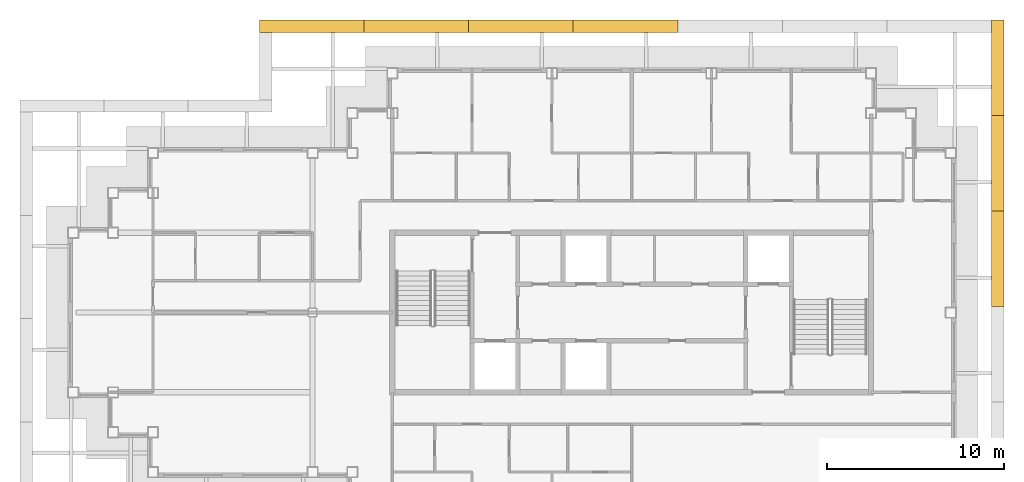
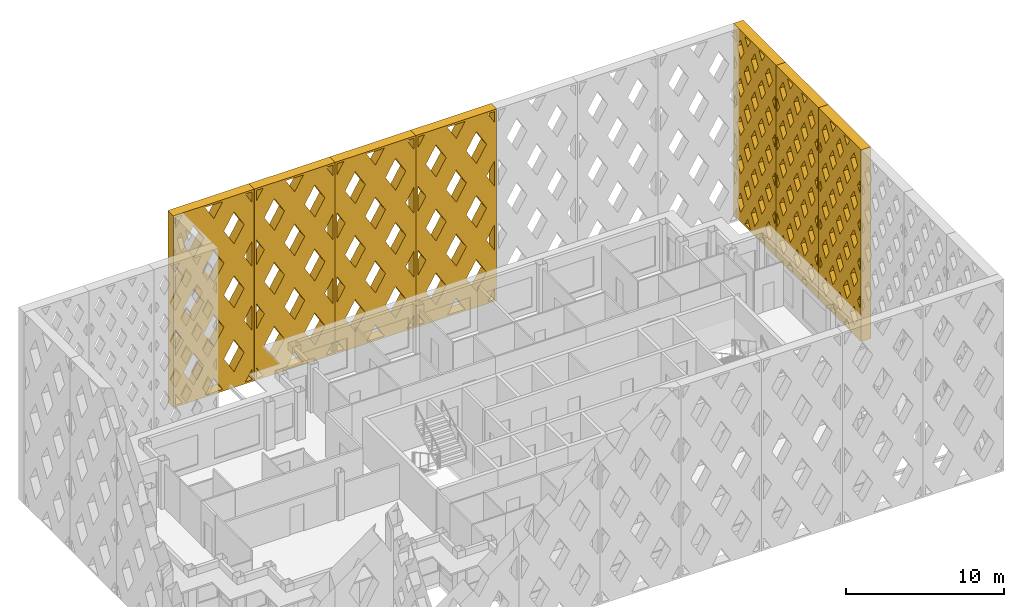
# One storey, part 14 of 15: 7 shading devices.
"""IFC4 building model written with IfcOpenShell, lengths in metres."""

import ifcopenshell
import ifcopenshell.guid

model = None  # the IFC model being written
_history = None  # IfcOwnerHistory: only IFC2X3 demands one
_inside = {}  # id of a spatial element -> (the spatial element, [elements in it])
_under = {}  # id of a project, library or spatial element -> (it, [spatial elements below it])
_declared = {}  # id of a project -> (the project, [libraries it declares])
_typed = {}  # id of a type object -> (the type object, [elements of that type])
_made_of = {}  # id of a material, layer set ... -> (it, [elements and type objects made of it])


def new_model(schema):
    """Start an empty IFC model of exactly this schema.

    Asked for "IFC4X3", IfcOpenShell would pick the latest addendum, in which some entities
    have other attributes; the version numbers below select the first issue.
    IFC2X3 requires an IfcOwnerHistory on every rooted entity: one is made here for all.
    """
    global model, _history
    if schema == "IFC4X3":
        model = ifcopenshell.file(schema_version=(4, 3, 0, 0))
    else:
        model = ifcopenshell.file(schema=schema)
    _inside.clear()
    _under.clear()
    _declared.clear()
    _typed.clear()
    _made_of.clear()
    _history = None
    if model.schema == "IFC2X3":
        org = make("IfcOrganization", Name="unknown")
        user = make(
            "IfcPersonAndOrganization",
            ThePerson=make("IfcPerson", FamilyName="unknown"),
            TheOrganization=org,
        )
        app = make(
            "IfcApplication",
            ApplicationDeveloper=org,
            Version="unknown",
            ApplicationFullName="unknown",
            ApplicationIdentifier="unknown",
        )
        _history = make(
            "IfcOwnerHistory",
            OwningUser=user,
            OwningApplication=app,
            ChangeAction="ADDED",
            CreationDate=0,
        )
    return model


def make(cls, **values):
    """One entity of the class cls with the attributes given. An attribute that is None is left unset."""
    return model.create_entity(
        cls, **{name: value for name, value in values.items() if value is not None}
    )


def rooted(cls, **values):
    """An entity with a GlobalId (a new one), such as an element, a storey or a relation."""
    return make(cls, GlobalId=ifcopenshell.guid.new(), OwnerHistory=_history, **values)


def si_unit(unit_type, name, prefix=None):
    """IfcSIUnit, for example si_unit("LENGTHUNIT", "METRE", prefix="MILLI")."""
    return make("IfcSIUnit", UnitType=unit_type, Prefix=prefix, Name=name)


def assignment(units):
    """IfcUnitAssignment: the units of a project."""
    return None if units is None else make("IfcUnitAssignment", Units=units)


def point(xyz):
    """IfcCartesianPoint."""
    return None if xyz is None else make("IfcCartesianPoint", Coordinates=xyz)


def direction(xyz):
    """IfcDirection."""
    return None if xyz is None else make("IfcDirection", DirectionRatios=xyz)


def frame(location, z_axis=None, x_axis=None):
    """IfcAxis2Placement3D, a coordinate frame: its origin and axes. An axis left out is left unset."""
    return make(
        "IfcAxis2Placement3D",
        Location=point(location),
        Axis=direction(z_axis),
        RefDirection=direction(x_axis),
    )


def origin():
    """The frame at (0, 0, 0) with its axes left unset."""
    return frame((0.0, 0.0, 0.0))


def place(relative_to, where):
    """IfcLocalPlacement: puts the frame where relative to a parent placement (None: the world)."""
    return make(
        "IfcLocalPlacement", PlacementRelTo=relative_to, RelativePlacement=where
    )


def context(
    kind, dimensions, precision=None, world=None, true_north=None, identifier=None
):
    """IfcGeometricRepresentationContext, for example the 3D "Model" context."""
    return make(
        "IfcGeometricRepresentationContext",
        ContextIdentifier=identifier,
        ContextType=kind,
        CoordinateSpaceDimension=dimensions,
        Precision=precision,
        WorldCoordinateSystem=world,
        TrueNorth=true_north,
    )


def subcontext(parent, identifier, kind, view, scale=None):
    """IfcGeometricRepresentationSubContext, for example "Body" below "Model"."""
    return make(
        "IfcGeometricRepresentationSubContext",
        ContextIdentifier=identifier,
        ContextType=kind,
        ParentContext=parent,
        TargetScale=scale,
        TargetView=view,
    )


def project(units=None, contexts=None):
    """IfcProject with its units and contexts."""
    return rooted(
        "IfcProject",
        Name="project",
        RepresentationContexts=contexts,
        UnitsInContext=assignment(units),
    )


def spatial(cls, under=None, at=None, **own):
    """A site, building, storey or space (cls), placed at a placement, below another one or the project."""
    s = rooted(cls, ObjectPlacement=at, **own)
    if under is not None:
        _under.setdefault(under.id(), (under, []))[1].append(s)
    return s


def polyline(points):
    """IfcPolyline through the points."""
    return make("IfcPolyline", Points=[point(p) for p in points])


def outline(outer, holes=None, kind="AREA"):
    """IfcArbitraryClosedProfileDef: a profile drawn as a closed curve; with holes, ...WithVoids."""
    if holes is None:
        return make("IfcArbitraryClosedProfileDef", ProfileType=kind, OuterCurve=outer)
    return make(
        "IfcArbitraryProfileDefWithVoids",
        ProfileType=kind,
        OuterCurve=outer,
        InnerCurves=holes,
    )


def extrude(swept, where, along, depth):
    """IfcExtrudedAreaSolid: the profile swept, set in the frame where, extruded along a direction by depth."""
    return make(
        "IfcExtrudedAreaSolid",
        SweptArea=swept,
        Position=where,
        ExtrudedDirection=direction(along),
        Depth=depth,
    )


def shape(context_of_items, identifier, shape_type, items):
    """IfcShapeRepresentation: the items that make up one representation, for example the "Body"."""
    return make(
        "IfcShapeRepresentation",
        ContextOfItems=context_of_items,
        RepresentationIdentifier=identifier,
        RepresentationType=shape_type,
        Items=items,
    )


def material(Name=None, Category=None):
    """IfcMaterial."""
    return make("IfcMaterial", Name=Name, Category=Category)


def made_of(thing, what):
    """Note that an element or type object is made of a material, layer set ...; save() writes the relation."""
    if what is not None:
        _made_of.setdefault(what.id(), (what, []))[1].append(thing)
    return thing


def type_object(cls, material=None, **own):
    """A type object (cls), such as IfcWallType, which elements share."""
    return made_of(rooted(cls, **own), material)


def element(
    cls,
    number,
    at=None,
    inside=None,
    cuts=None,
    type_object=None,
    material=None,
    context=None,
    identifier="Body",
    shape_type=None,
    held_by="IfcProductDefinitionShape",
    body=None,
    shapes=None,
    **own,
):
    """One element of the class cls, such as IfcWall. Its Tag is "e" and its number.

    at: its placement. inside: the storey or other place that contains it. cuts: it is an
    opening in that element (IfcRelVoidsElement). A single representation is given by context,
    identifier, shape_type and body (its items); several are given by shapes. held_by: the class
    of the entity that holds the representations. save() writes the other relations.
    """
    e = rooted(cls, Tag="e%d" % number, ObjectPlacement=at, **own)
    if body is not None:
        shapes = [shape(context, identifier, shape_type, body)]
    if shapes is not None:
        e.Representation = make(held_by, Representations=shapes)
    if inside is not None:
        _inside.setdefault(inside.id(), (inside, []))[1].append(e)
    if cuts is not None:
        rooted(
            "IfcRelVoidsElement", RelatingBuildingElement=cuts, RelatedOpeningElement=e
        )
    if type_object is not None:
        _typed.setdefault(type_object.id(), (type_object, []))[1].append(e)
    return made_of(e, material)


def aggregate(whole, parts):
    """IfcRelAggregates: a whole, such as a stair, and the parts it consists of."""
    return rooted("IfcRelAggregates", RelatingObject=whole, RelatedObjects=parts)


def save(model, path):
    """Write the relations noted so far, then the file.

    IfcRelAggregates (storeys below a building ...), IfcRelContainedInSpatialStructure (elements
    in a storey), IfcRelDefinesByType, IfcRelAssociatesMaterial and IfcRelDeclares: one each for
    every whole, place, type object, material and project.
    """
    for whole, parts in _under.values():
        aggregate(whole, parts)
    for where, things in _inside.values():
        rooted(
            "IfcRelContainedInSpatialStructure",
            RelatedElements=things,
            RelatingStructure=where,
        )
    for kind, things in _typed.values():
        rooted("IfcRelDefinesByType", RelatedObjects=things, RelatingType=kind)
    for what, things in _made_of.values():
        rooted("IfcRelAssociatesMaterial", RelatedObjects=things, RelatingMaterial=what)
    for by, libraries in _declared.values():
        rooted("IfcRelDeclares", RelatingContext=by, RelatedDefinitions=libraries)
    model.write(path)


model = new_model("IFC4")

# Units and contexts
model_context = context("Model", 3, precision=1e-05, world=origin(), true_north=direction((0.0, 1.0)))
body_context = subcontext(model_context, "Body", "Model", "MODEL_VIEW")
ifc_project = project(units=[si_unit("LENGTHUNIT", "METRE"), si_unit("AREAUNIT", "SQUARE_METRE"), si_unit("VOLUMEUNIT", "CUBIC_METRE"), si_unit("PLANEANGLEUNIT", "RADIAN"), si_unit("MASSUNIT", "GRAM", prefix="KILO")], contexts=[model_context])

# Site, building, storey
site_placement = place(None, origin())
site = spatial("IfcSite", under=ifc_project, at=site_placement, CompositionType="ELEMENT")
building_placement = place(site_placement, origin())
building = spatial("IfcBuilding", under=site, at=building_placement, Name="Caravel Reach Hotel and Residences", CompositionType="ELEMENT")
storey_placement = place(building_placement, frame((0.0, 0.0, 237.89990234375)))
storey = spatial("IfcBuildingStorey", under=building, at=storey_placement, Name="L60", CompositionType="ELEMENT", Elevation=237.89990234375)

# Shading devices
ifc_material_1 = material(Name="Black powder-coated aluminium", Category="aluminium")
shading_device_type_1 = type_object("IfcShadingDeviceType", Name="Diamond lattice screen panel 5383 x 14800", PredefinedType="USERDEFINED", material=ifc_material_1)
shading_device_1_placement = place(storey_placement, frame((51.800048828125, 27.35009765625, 0.0), z_axis=(1.0, 0.0, 0.0), x_axis=(0.0, 1.0, 0.0)))
element("IfcShadingDevice", 1, at=shading_device_1_placement, inside=storey, type_object=shading_device_type_1, Name="Lattice screen L60-L63 4.4", ObjectType="SCREEN", PredefinedType="USERDEFINED", context=body_context, shape_type="SweptSolid", body=[
    extrude(outline(polyline([(0.0, 0.0), (5.38330078125, 0.0), (5.38330078125, 14.800048828125), (0.0, 14.800048828125), (0.0, 0.0)]), holes=[polyline([(0.451416015625, 2.9599609375), (0.14990234375, 3.457275390625), (0.14990234375, 2.462646484375), (0.451416015625, 2.9599609375)]), polyline([(0.451416015625, 5.919921875), (0.14990234375, 6.41748046875), (0.14990234375, 5.422607421875), (0.451416015625, 5.919921875)]), polyline([(0.451416015625, 8.8798828125), (0.14990234375, 9.37744140625), (0.14990234375, 8.382568359375), (0.451416015625, 8.8798828125)]), polyline([(0.451416015625, 11.840087890625), (0.14990234375, 12.33740234375), (0.14990234375, 11.342529296875), (0.451416015625, 11.840087890625)]), polyline([(0.897216796875, 2.224853515625), (0.44580078125, 1.47998046875), (0.897216796875, 0.735107421875), (1.348876953125, 1.47998046875), (0.897216796875, 2.224853515625)]), polyline([(0.897216796875, 5.184814453125), (0.44580078125, 4.43994140625), (0.897216796875, 3.695068359375), (1.348876953125, 4.43994140625), (0.897216796875, 5.184814453125)]), polyline([(0.897216796875, 8.144775390625), (0.44580078125, 7.39990234375), (0.897216796875, 6.6552734375), (1.348876953125, 7.39990234375), (0.897216796875, 8.144775390625)]), polyline([(0.897216796875, 11.104736328125), (0.44580078125, 10.360107421875), (0.897216796875, 9.615234375), (1.348876953125, 10.360107421875), (0.897216796875, 11.104736328125)]), polyline([(0.897216796875, 14.06494140625), (0.44580078125, 13.320068359375), (0.897216796875, 12.5751953125), (1.348876953125, 13.320068359375), (0.897216796875, 14.06494140625)]), polyline([(1.79443359375, 0.744873046875), (1.433837890625, 0.14990234375), (2.155029296875, 0.14990234375), (1.79443359375, 0.744873046875)]), polyline([(1.79443359375, 3.704833984375), (1.343017578125, 2.9599609375), (1.79443359375, 2.215087890625), (2.24609375, 2.9599609375), (1.79443359375, 3.704833984375)]), polyline([(1.79443359375, 6.664794921875), (1.343017578125, 5.919921875), (1.79443359375, 5.17529296875), (2.24609375, 5.919921875), (1.79443359375, 6.664794921875)]), polyline([(1.79443359375, 9.624755859375), (1.343017578125, 8.8798828125), (1.79443359375, 8.13525390625), (2.24609375, 8.8798828125), (1.79443359375, 9.624755859375)]), polyline([(1.79443359375, 12.584716796875), (1.343017578125, 11.840087890625), (1.79443359375, 11.09521484375), (2.24609375, 11.840087890625), (1.79443359375, 12.584716796875)]), polyline([(1.79443359375, 14.05517578125), (2.155029296875, 14.64990234375), (1.433837890625, 14.64990234375), (1.79443359375, 14.05517578125)]), polyline([(2.691650390625, 2.224853515625), (2.240234375, 1.47998046875), (2.691650390625, 0.735107421875), (3.143310546875, 1.47998046875), (2.691650390625, 2.224853515625)]), polyline([(2.691650390625, 5.184814453125), (2.240234375, 4.43994140625), (2.691650390625, 3.695068359375), (3.143310546875, 4.43994140625), (2.691650390625, 5.184814453125)]), polyline([(2.691650390625, 8.144775390625), (2.240234375, 7.39990234375), (2.691650390625, 6.6552734375), (3.143310546875, 7.39990234375), (2.691650390625, 8.144775390625)]), polyline([(2.691650390625, 11.104736328125), (2.240234375, 10.360107421875), (2.691650390625, 9.615234375), (3.143310546875, 10.360107421875), (2.691650390625, 11.104736328125)]), polyline([(2.691650390625, 14.06494140625), (2.240234375, 13.320068359375), (2.691650390625, 12.5751953125), (3.143310546875, 13.320068359375), (2.691650390625, 14.06494140625)]), polyline([(3.5888671875, 0.744873046875), (3.228271484375, 0.14990234375), (3.949462890625, 0.14990234375), (3.5888671875, 0.744873046875)]), polyline([(3.5888671875, 3.704833984375), (3.137451171875, 2.9599609375), (3.5888671875, 2.215087890625), (4.04052734375, 2.9599609375), (3.5888671875, 3.704833984375)]), polyline([(3.5888671875, 6.664794921875), (3.137451171875, 5.919921875), (3.5888671875, 5.17529296875), (4.04052734375, 5.919921875), (3.5888671875, 6.664794921875)]), polyline([(3.5888671875, 9.624755859375), (3.137451171875, 8.8798828125), (3.5888671875, 8.13525390625), (4.04052734375, 8.8798828125), (3.5888671875, 9.624755859375)]), polyline([(3.5888671875, 12.584716796875), (3.137451171875, 11.840087890625), (3.5888671875, 11.09521484375), (4.04052734375, 11.840087890625), (3.5888671875, 12.584716796875)]), polyline([(3.5888671875, 14.05517578125), (3.949462890625, 14.64990234375), (3.228271484375, 14.64990234375), (3.5888671875, 14.05517578125)]), polyline([(4.486083984375, 2.224853515625), (4.03466796875, 1.47998046875), (4.486083984375, 0.735107421875), (4.937744140625, 1.47998046875), (4.486083984375, 2.224853515625)]), polyline([(4.486083984375, 5.184814453125), (4.03466796875, 4.43994140625), (4.486083984375, 3.695068359375), (4.937744140625, 4.43994140625), (4.486083984375, 5.184814453125)]), polyline([(4.486083984375, 8.144775390625), (4.03466796875, 7.39990234375), (4.486083984375, 6.6552734375), (4.937744140625, 7.39990234375), (4.486083984375, 8.144775390625)]), polyline([(4.486083984375, 11.104736328125), (4.03466796875, 10.360107421875), (4.486083984375, 9.615234375), (4.937744140625, 10.360107421875), (4.486083984375, 11.104736328125)]), polyline([(4.486083984375, 14.06494140625), (4.03466796875, 13.320068359375), (4.486083984375, 12.5751953125), (4.937744140625, 13.320068359375), (4.486083984375, 14.06494140625)]), polyline([(4.931884765625, 2.9599609375), (5.2333984375, 2.462646484375), (5.2333984375, 3.457275390625), (4.931884765625, 2.9599609375)]), polyline([(4.931884765625, 5.919921875), (5.2333984375, 5.422607421875), (5.2333984375, 6.41748046875), (4.931884765625, 5.919921875)]), polyline([(4.931884765625, 8.8798828125), (5.2333984375, 8.382568359375), (5.2333984375, 9.37744140625), (4.931884765625, 8.8798828125)]), polyline([(4.931884765625, 11.840087890625), (5.2333984375, 11.342529296875), (5.2333984375, 12.33740234375), (4.931884765625, 11.840087890625)])]), origin(), (0.0, 0.0, 1.0), 0.699951171875),
])
shading_device_2_placement = place(storey_placement, frame((51.800048828125, 32.7333984375, 0.0), z_axis=(1.0, 0.0, 0.0), x_axis=(0.0, 1.0, 0.0)))
element("IfcShadingDevice", 2, at=shading_device_2_placement, inside=storey, type_object=shading_device_type_1, Name="Lattice screen L60-L63 4.5", ObjectType="SCREEN", PredefinedType="USERDEFINED", context=body_context, shape_type="SweptSolid", body=[
    extrude(outline(polyline([(0.0, 0.0), (5.38330078125, 0.0), (5.38330078125, 14.800048828125), (0.0, 14.800048828125), (0.0, 0.0)]), holes=[polyline([(0.451416015625, 2.9599609375), (0.14990234375, 3.457275390625), (0.14990234375, 2.462646484375), (0.451416015625, 2.9599609375)]), polyline([(0.451416015625, 5.919921875), (0.14990234375, 6.41748046875), (0.14990234375, 5.422607421875), (0.451416015625, 5.919921875)]), polyline([(0.451416015625, 8.8798828125), (0.14990234375, 9.37744140625), (0.14990234375, 8.382568359375), (0.451416015625, 8.8798828125)]), polyline([(0.451416015625, 11.840087890625), (0.14990234375, 12.33740234375), (0.14990234375, 11.342529296875), (0.451416015625, 11.840087890625)]), polyline([(0.897216796875, 2.224853515625), (0.44580078125, 1.47998046875), (0.897216796875, 0.735107421875), (1.348876953125, 1.47998046875), (0.897216796875, 2.224853515625)]), polyline([(0.897216796875, 5.184814453125), (0.44580078125, 4.43994140625), (0.897216796875, 3.695068359375), (1.348876953125, 4.43994140625), (0.897216796875, 5.184814453125)]), polyline([(0.897216796875, 8.144775390625), (0.44580078125, 7.39990234375), (0.897216796875, 6.6552734375), (1.348876953125, 7.39990234375), (0.897216796875, 8.144775390625)]), polyline([(0.897216796875, 11.104736328125), (0.44580078125, 10.360107421875), (0.897216796875, 9.615234375), (1.348876953125, 10.360107421875), (0.897216796875, 11.104736328125)]), polyline([(0.897216796875, 14.06494140625), (0.44580078125, 13.320068359375), (0.897216796875, 12.5751953125), (1.348876953125, 13.320068359375), (0.897216796875, 14.06494140625)]), polyline([(1.79443359375, 0.744873046875), (1.433837890625, 0.14990234375), (2.155029296875, 0.14990234375), (1.79443359375, 0.744873046875)]), polyline([(1.79443359375, 3.704833984375), (1.343017578125, 2.9599609375), (1.79443359375, 2.215087890625), (2.24609375, 2.9599609375), (1.79443359375, 3.704833984375)]), polyline([(1.79443359375, 6.664794921875), (1.343017578125, 5.919921875), (1.79443359375, 5.17529296875), (2.24609375, 5.919921875), (1.79443359375, 6.664794921875)]), polyline([(1.79443359375, 9.624755859375), (1.343017578125, 8.8798828125), (1.79443359375, 8.13525390625), (2.24609375, 8.8798828125), (1.79443359375, 9.624755859375)]), polyline([(1.79443359375, 12.584716796875), (1.343017578125, 11.840087890625), (1.79443359375, 11.09521484375), (2.24609375, 11.840087890625), (1.79443359375, 12.584716796875)]), polyline([(1.79443359375, 14.05517578125), (2.155029296875, 14.64990234375), (1.433837890625, 14.64990234375), (1.79443359375, 14.05517578125)]), polyline([(2.691650390625, 2.224853515625), (2.240234375, 1.47998046875), (2.691650390625, 0.735107421875), (3.143310546875, 1.47998046875), (2.691650390625, 2.224853515625)]), polyline([(2.691650390625, 5.184814453125), (2.240234375, 4.43994140625), (2.691650390625, 3.695068359375), (3.143310546875, 4.43994140625), (2.691650390625, 5.184814453125)]), polyline([(2.691650390625, 8.144775390625), (2.240234375, 7.39990234375), (2.691650390625, 6.6552734375), (3.143310546875, 7.39990234375), (2.691650390625, 8.144775390625)]), polyline([(2.691650390625, 11.104736328125), (2.240234375, 10.360107421875), (2.691650390625, 9.615234375), (3.143310546875, 10.360107421875), (2.691650390625, 11.104736328125)]), polyline([(2.691650390625, 14.06494140625), (2.240234375, 13.320068359375), (2.691650390625, 12.5751953125), (3.143310546875, 13.320068359375), (2.691650390625, 14.06494140625)]), polyline([(3.5888671875, 0.744873046875), (3.228271484375, 0.14990234375), (3.949462890625, 0.14990234375), (3.5888671875, 0.744873046875)]), polyline([(3.5888671875, 3.704833984375), (3.137451171875, 2.9599609375), (3.5888671875, 2.215087890625), (4.04052734375, 2.9599609375), (3.5888671875, 3.704833984375)]), polyline([(3.5888671875, 6.664794921875), (3.137451171875, 5.919921875), (3.5888671875, 5.17529296875), (4.04052734375, 5.919921875), (3.5888671875, 6.664794921875)]), polyline([(3.5888671875, 9.624755859375), (3.137451171875, 8.8798828125), (3.5888671875, 8.13525390625), (4.04052734375, 8.8798828125), (3.5888671875, 9.624755859375)]), polyline([(3.5888671875, 12.584716796875), (3.137451171875, 11.840087890625), (3.5888671875, 11.09521484375), (4.04052734375, 11.840087890625), (3.5888671875, 12.584716796875)]), polyline([(3.5888671875, 14.05517578125), (3.949462890625, 14.64990234375), (3.228271484375, 14.64990234375), (3.5888671875, 14.05517578125)]), polyline([(4.486083984375, 2.224853515625), (4.03466796875, 1.47998046875), (4.486083984375, 0.735107421875), (4.937744140625, 1.47998046875), (4.486083984375, 2.224853515625)]), polyline([(4.486083984375, 5.184814453125), (4.03466796875, 4.43994140625), (4.486083984375, 3.695068359375), (4.937744140625, 4.43994140625), (4.486083984375, 5.184814453125)]), polyline([(4.486083984375, 8.144775390625), (4.03466796875, 7.39990234375), (4.486083984375, 6.6552734375), (4.937744140625, 7.39990234375), (4.486083984375, 8.144775390625)]), polyline([(4.486083984375, 11.104736328125), (4.03466796875, 10.360107421875), (4.486083984375, 9.615234375), (4.937744140625, 10.360107421875), (4.486083984375, 11.104736328125)]), polyline([(4.486083984375, 14.06494140625), (4.03466796875, 13.320068359375), (4.486083984375, 12.5751953125), (4.937744140625, 13.320068359375), (4.486083984375, 14.06494140625)]), polyline([(4.931884765625, 2.9599609375), (5.2333984375, 2.462646484375), (5.2333984375, 3.457275390625), (4.931884765625, 2.9599609375)]), polyline([(4.931884765625, 5.919921875), (5.2333984375, 5.422607421875), (5.2333984375, 6.41748046875), (4.931884765625, 5.919921875)]), polyline([(4.931884765625, 8.8798828125), (5.2333984375, 8.382568359375), (5.2333984375, 9.37744140625), (4.931884765625, 8.8798828125)]), polyline([(4.931884765625, 11.840087890625), (5.2333984375, 11.342529296875), (5.2333984375, 12.33740234375), (4.931884765625, 11.840087890625)])]), origin(), (0.0, 0.0, 1.0), 0.699951171875),
])
shading_device_3_placement = place(storey_placement, frame((51.800048828125, 38.11669921875, 0.0), z_axis=(1.0, 0.0, 0.0), x_axis=(0.0, 1.0, 0.0)))
element("IfcShadingDevice", 3, at=shading_device_3_placement, inside=storey, type_object=shading_device_type_1, Name="Lattice screen L60-L63 4.6", ObjectType="SCREEN", PredefinedType="USERDEFINED", context=body_context, shape_type="SweptSolid", body=[
    extrude(outline(polyline([(0.0, 0.0), (5.38330078125, 0.0), (5.38330078125, 14.800048828125), (0.0, 14.800048828125), (0.0, 0.0)]), holes=[polyline([(0.451416015625, 2.9599609375), (0.14990234375, 3.457275390625), (0.14990234375, 2.462646484375), (0.451416015625, 2.9599609375)]), polyline([(0.451416015625, 5.919921875), (0.14990234375, 6.41748046875), (0.14990234375, 5.422607421875), (0.451416015625, 5.919921875)]), polyline([(0.451416015625, 8.8798828125), (0.14990234375, 9.37744140625), (0.14990234375, 8.382568359375), (0.451416015625, 8.8798828125)]), polyline([(0.451416015625, 11.840087890625), (0.14990234375, 12.33740234375), (0.14990234375, 11.342529296875), (0.451416015625, 11.840087890625)]), polyline([(0.897216796875, 2.224853515625), (0.44580078125, 1.47998046875), (0.897216796875, 0.735107421875), (1.348876953125, 1.47998046875), (0.897216796875, 2.224853515625)]), polyline([(0.897216796875, 5.184814453125), (0.44580078125, 4.43994140625), (0.897216796875, 3.695068359375), (1.348876953125, 4.43994140625), (0.897216796875, 5.184814453125)]), polyline([(0.897216796875, 8.144775390625), (0.44580078125, 7.39990234375), (0.897216796875, 6.6552734375), (1.348876953125, 7.39990234375), (0.897216796875, 8.144775390625)]), polyline([(0.897216796875, 11.104736328125), (0.44580078125, 10.360107421875), (0.897216796875, 9.615234375), (1.348876953125, 10.360107421875), (0.897216796875, 11.104736328125)]), polyline([(0.897216796875, 14.06494140625), (0.44580078125, 13.320068359375), (0.897216796875, 12.5751953125), (1.348876953125, 13.320068359375), (0.897216796875, 14.06494140625)]), polyline([(1.79443359375, 0.744873046875), (1.433837890625, 0.14990234375), (2.155029296875, 0.14990234375), (1.79443359375, 0.744873046875)]), polyline([(1.79443359375, 3.704833984375), (1.343017578125, 2.9599609375), (1.79443359375, 2.215087890625), (2.24609375, 2.9599609375), (1.79443359375, 3.704833984375)]), polyline([(1.79443359375, 6.664794921875), (1.343017578125, 5.919921875), (1.79443359375, 5.17529296875), (2.24609375, 5.919921875), (1.79443359375, 6.664794921875)]), polyline([(1.79443359375, 9.624755859375), (1.343017578125, 8.8798828125), (1.79443359375, 8.13525390625), (2.24609375, 8.8798828125), (1.79443359375, 9.624755859375)]), polyline([(1.79443359375, 12.584716796875), (1.343017578125, 11.840087890625), (1.79443359375, 11.09521484375), (2.24609375, 11.840087890625), (1.79443359375, 12.584716796875)]), polyline([(1.79443359375, 14.05517578125), (2.155029296875, 14.64990234375), (1.433837890625, 14.64990234375), (1.79443359375, 14.05517578125)]), polyline([(2.691650390625, 2.224853515625), (2.240234375, 1.47998046875), (2.691650390625, 0.735107421875), (3.143310546875, 1.47998046875), (2.691650390625, 2.224853515625)]), polyline([(2.691650390625, 5.184814453125), (2.240234375, 4.43994140625), (2.691650390625, 3.695068359375), (3.143310546875, 4.43994140625), (2.691650390625, 5.184814453125)]), polyline([(2.691650390625, 8.144775390625), (2.240234375, 7.39990234375), (2.691650390625, 6.6552734375), (3.143310546875, 7.39990234375), (2.691650390625, 8.144775390625)]), polyline([(2.691650390625, 11.104736328125), (2.240234375, 10.360107421875), (2.691650390625, 9.615234375), (3.143310546875, 10.360107421875), (2.691650390625, 11.104736328125)]), polyline([(2.691650390625, 14.06494140625), (2.240234375, 13.320068359375), (2.691650390625, 12.5751953125), (3.143310546875, 13.320068359375), (2.691650390625, 14.06494140625)]), polyline([(3.5888671875, 0.744873046875), (3.228271484375, 0.14990234375), (3.949462890625, 0.14990234375), (3.5888671875, 0.744873046875)]), polyline([(3.5888671875, 3.704833984375), (3.137451171875, 2.9599609375), (3.5888671875, 2.215087890625), (4.04052734375, 2.9599609375), (3.5888671875, 3.704833984375)]), polyline([(3.5888671875, 6.664794921875), (3.137451171875, 5.919921875), (3.5888671875, 5.17529296875), (4.04052734375, 5.919921875), (3.5888671875, 6.664794921875)]), polyline([(3.5888671875, 9.624755859375), (3.137451171875, 8.8798828125), (3.5888671875, 8.13525390625), (4.04052734375, 8.8798828125), (3.5888671875, 9.624755859375)]), polyline([(3.5888671875, 12.584716796875), (3.137451171875, 11.840087890625), (3.5888671875, 11.09521484375), (4.04052734375, 11.840087890625), (3.5888671875, 12.584716796875)]), polyline([(3.5888671875, 14.05517578125), (3.949462890625, 14.64990234375), (3.228271484375, 14.64990234375), (3.5888671875, 14.05517578125)]), polyline([(4.486083984375, 2.224853515625), (4.03466796875, 1.47998046875), (4.486083984375, 0.735107421875), (4.937744140625, 1.47998046875), (4.486083984375, 2.224853515625)]), polyline([(4.486083984375, 5.184814453125), (4.03466796875, 4.43994140625), (4.486083984375, 3.695068359375), (4.937744140625, 4.43994140625), (4.486083984375, 5.184814453125)]), polyline([(4.486083984375, 8.144775390625), (4.03466796875, 7.39990234375), (4.486083984375, 6.6552734375), (4.937744140625, 7.39990234375), (4.486083984375, 8.144775390625)]), polyline([(4.486083984375, 11.104736328125), (4.03466796875, 10.360107421875), (4.486083984375, 9.615234375), (4.937744140625, 10.360107421875), (4.486083984375, 11.104736328125)]), polyline([(4.486083984375, 14.06494140625), (4.03466796875, 13.320068359375), (4.486083984375, 12.5751953125), (4.937744140625, 13.320068359375), (4.486083984375, 14.06494140625)]), polyline([(4.931884765625, 2.9599609375), (5.2333984375, 2.462646484375), (5.2333984375, 3.457275390625), (4.931884765625, 2.9599609375)]), polyline([(4.931884765625, 5.919921875), (5.2333984375, 5.422607421875), (5.2333984375, 6.41748046875), (4.931884765625, 5.919921875)]), polyline([(4.931884765625, 8.8798828125), (5.2333984375, 8.382568359375), (5.2333984375, 9.37744140625), (4.931884765625, 8.8798828125)]), polyline([(4.931884765625, 11.840087890625), (5.2333984375, 11.342529296875), (5.2333984375, 12.33740234375), (4.931884765625, 11.840087890625)])]), origin(), (0.0, 0.0, 1.0), 0.699951171875),
])
ifc_material_2 = material(Name="Black powder-coated aluminium", Category="aluminium")
shading_device_type_2 = type_object("IfcShadingDeviceType", Name="Diamond lattice screen panel 5900 x 14800", PredefinedType="USERDEFINED", material=ifc_material_2)
shading_device_4_placement = place(storey_placement, frame((34.10009765625, 42.800048828125, 0.0), z_axis=(0.0, 1.0, 0.0), x_axis=(-1.0, 0.0, 0.0)))
element("IfcShadingDevice", 4, at=shading_device_4_placement, inside=storey, type_object=shading_device_type_2, Name="Lattice screen L60-L63 5.4", ObjectType="SCREEN", PredefinedType="USERDEFINED", context=body_context, shape_type="SweptSolid", body=[
    extrude(outline(polyline([(0.0, 0.0), (5.89990234375, 0.0), (5.89990234375, 14.800048828125), (0.0, 14.800048828125), (0.0, 0.0)]), holes=[polyline([(0.64990234375, 0.14990234375), (0.14990234375, 0.986083984375), (0.14990234375, 0.14990234375), (0.64990234375, 0.14990234375)]), polyline([(0.739501953125, 4.933349609375), (0.14990234375, 5.91943359375), (0.14990234375, 3.947265625), (0.739501953125, 4.933349609375)]), polyline([(0.739501953125, 9.86669921875), (0.14990234375, 10.852783203125), (0.14990234375, 8.880615234375), (0.739501953125, 9.86669921875)]), polyline([(0.14990234375, 13.81396484375), (0.64990234375, 14.64990234375), (0.14990234375, 14.64990234375), (0.14990234375, 13.81396484375)]), polyline([(1.47509765625, 3.70361328125), (0.7353515625, 2.466552734375), (1.47509765625, 1.229736328125), (2.214599609375, 2.466552734375), (1.47509765625, 3.70361328125)]), polyline([(1.47509765625, 8.636962890625), (0.7353515625, 7.39990234375), (1.47509765625, 6.1630859375), (2.214599609375, 7.39990234375), (1.47509765625, 8.636962890625)]), polyline([(1.47509765625, 13.570068359375), (0.7353515625, 12.333251953125), (1.47509765625, 11.096435546875), (2.214599609375, 12.333251953125), (1.47509765625, 13.570068359375)]), polyline([(2.949951171875, 1.23681640625), (2.300048828125, 0.14990234375), (3.599853515625, 0.14990234375), (2.949951171875, 1.23681640625)]), polyline([(2.949951171875, 6.170166015625), (2.21044921875, 4.933349609375), (2.949951171875, 3.696533203125), (3.689697265625, 4.933349609375), (2.949951171875, 6.170166015625)]), polyline([(2.949951171875, 11.103515625), (2.21044921875, 9.86669921875), (2.949951171875, 8.6298828125), (3.689697265625, 9.86669921875), (2.949951171875, 11.103515625)]), polyline([(2.949951171875, 13.563232421875), (3.599853515625, 14.64990234375), (2.300048828125, 14.64990234375), (2.949951171875, 13.563232421875)]), polyline([(4.425048828125, 3.70361328125), (3.685302734375, 2.466552734375), (4.425048828125, 1.229736328125), (5.16455078125, 2.466552734375), (4.425048828125, 3.70361328125)]), polyline([(4.425048828125, 8.636962890625), (3.685302734375, 7.39990234375), (4.425048828125, 6.1630859375), (5.16455078125, 7.39990234375), (4.425048828125, 8.636962890625)]), polyline([(4.425048828125, 13.570068359375), (3.685302734375, 12.333251953125), (4.425048828125, 11.096435546875), (5.16455078125, 12.333251953125), (4.425048828125, 13.570068359375)]), polyline([(5.75, 0.986083984375), (5.25, 0.14990234375), (5.75, 0.14990234375), (5.75, 0.986083984375)]), polyline([(5.160400390625, 4.933349609375), (5.75, 3.947265625), (5.75, 5.91943359375), (5.160400390625, 4.933349609375)]), polyline([(5.160400390625, 9.86669921875), (5.75, 8.880615234375), (5.75, 10.852783203125), (5.160400390625, 9.86669921875)]), polyline([(5.25, 14.64990234375), (5.75, 13.81396484375), (5.75, 14.64990234375), (5.25, 14.64990234375)])]), origin(), (0.0, 0.0, 1.0), 0.699951171875),
])
shading_device_5_placement = place(storey_placement, frame((28.199951171875, 42.800048828125, 0.0), z_axis=(0.0, 1.0, 0.0), x_axis=(-1.0, 0.0, 0.0)))
element("IfcShadingDevice", 5, at=shading_device_5_placement, inside=storey, type_object=shading_device_type_2, Name="Lattice screen L60-L63 5.5", ObjectType="SCREEN", PredefinedType="USERDEFINED", context=body_context, shape_type="SweptSolid", body=[
    extrude(outline(polyline([(0.0, 0.0), (5.89990234375, 0.0), (5.89990234375, 14.800048828125), (0.0, 14.800048828125), (0.0, 0.0)]), holes=[polyline([(0.64990234375, 0.14990234375), (0.14990234375, 0.986083984375), (0.14990234375, 0.14990234375), (0.64990234375, 0.14990234375)]), polyline([(0.739501953125, 4.933349609375), (0.14990234375, 5.91943359375), (0.14990234375, 3.947265625), (0.739501953125, 4.933349609375)]), polyline([(0.739501953125, 9.86669921875), (0.14990234375, 10.852783203125), (0.14990234375, 8.880615234375), (0.739501953125, 9.86669921875)]), polyline([(0.14990234375, 13.81396484375), (0.64990234375, 14.64990234375), (0.14990234375, 14.64990234375), (0.14990234375, 13.81396484375)]), polyline([(1.47509765625, 3.70361328125), (0.7353515625, 2.466552734375), (1.47509765625, 1.229736328125), (2.214599609375, 2.466552734375), (1.47509765625, 3.70361328125)]), polyline([(1.47509765625, 8.636962890625), (0.7353515625, 7.39990234375), (1.47509765625, 6.1630859375), (2.214599609375, 7.39990234375), (1.47509765625, 8.636962890625)]), polyline([(1.47509765625, 13.570068359375), (0.7353515625, 12.333251953125), (1.47509765625, 11.096435546875), (2.214599609375, 12.333251953125), (1.47509765625, 13.570068359375)]), polyline([(2.949951171875, 1.23681640625), (2.300048828125, 0.14990234375), (3.599853515625, 0.14990234375), (2.949951171875, 1.23681640625)]), polyline([(2.949951171875, 6.170166015625), (2.21044921875, 4.933349609375), (2.949951171875, 3.696533203125), (3.689697265625, 4.933349609375), (2.949951171875, 6.170166015625)]), polyline([(2.949951171875, 11.103515625), (2.21044921875, 9.86669921875), (2.949951171875, 8.6298828125), (3.689697265625, 9.86669921875), (2.949951171875, 11.103515625)]), polyline([(2.949951171875, 13.563232421875), (3.599853515625, 14.64990234375), (2.300048828125, 14.64990234375), (2.949951171875, 13.563232421875)]), polyline([(4.425048828125, 3.70361328125), (3.685302734375, 2.466552734375), (4.425048828125, 1.229736328125), (5.16455078125, 2.466552734375), (4.425048828125, 3.70361328125)]), polyline([(4.425048828125, 8.636962890625), (3.685302734375, 7.39990234375), (4.425048828125, 6.1630859375), (5.16455078125, 7.39990234375), (4.425048828125, 8.636962890625)]), polyline([(4.425048828125, 13.570068359375), (3.685302734375, 12.333251953125), (4.425048828125, 11.096435546875), (5.16455078125, 12.333251953125), (4.425048828125, 13.570068359375)]), polyline([(5.75, 0.986083984375), (5.25, 0.14990234375), (5.75, 0.14990234375), (5.75, 0.986083984375)]), polyline([(5.160400390625, 4.933349609375), (5.75, 3.947265625), (5.75, 5.91943359375), (5.160400390625, 4.933349609375)]), polyline([(5.160400390625, 9.86669921875), (5.75, 8.880615234375), (5.75, 10.852783203125), (5.160400390625, 9.86669921875)]), polyline([(5.25, 14.64990234375), (5.75, 13.81396484375), (5.75, 14.64990234375), (5.25, 14.64990234375)])]), origin(), (0.0, 0.0, 1.0), 0.699951171875),
])
shading_device_6_placement = place(storey_placement, frame((22.300048828125, 42.800048828125, 0.0), z_axis=(0.0, 1.0, 0.0), x_axis=(-1.0, 0.0, 0.0)))
element("IfcShadingDevice", 6, at=shading_device_6_placement, inside=storey, type_object=shading_device_type_2, Name="Lattice screen L60-L63 5.6", ObjectType="SCREEN", PredefinedType="USERDEFINED", context=body_context, shape_type="SweptSolid", body=[
    extrude(outline(polyline([(0.0, 0.0), (5.89990234375, 0.0), (5.89990234375, 14.800048828125), (0.0, 14.800048828125), (0.0, 0.0)]), holes=[polyline([(0.64990234375, 0.14990234375), (0.14990234375, 0.986083984375), (0.14990234375, 0.14990234375), (0.64990234375, 0.14990234375)]), polyline([(0.739501953125, 4.933349609375), (0.14990234375, 5.91943359375), (0.14990234375, 3.947265625), (0.739501953125, 4.933349609375)]), polyline([(0.739501953125, 9.86669921875), (0.14990234375, 10.852783203125), (0.14990234375, 8.880615234375), (0.739501953125, 9.86669921875)]), polyline([(0.14990234375, 13.81396484375), (0.64990234375, 14.64990234375), (0.14990234375, 14.64990234375), (0.14990234375, 13.81396484375)]), polyline([(1.47509765625, 3.70361328125), (0.7353515625, 2.466552734375), (1.47509765625, 1.229736328125), (2.214599609375, 2.466552734375), (1.47509765625, 3.70361328125)]), polyline([(1.47509765625, 8.636962890625), (0.7353515625, 7.39990234375), (1.47509765625, 6.1630859375), (2.214599609375, 7.39990234375), (1.47509765625, 8.636962890625)]), polyline([(1.47509765625, 13.570068359375), (0.7353515625, 12.333251953125), (1.47509765625, 11.096435546875), (2.214599609375, 12.333251953125), (1.47509765625, 13.570068359375)]), polyline([(2.949951171875, 1.23681640625), (2.300048828125, 0.14990234375), (3.599853515625, 0.14990234375), (2.949951171875, 1.23681640625)]), polyline([(2.949951171875, 6.170166015625), (2.21044921875, 4.933349609375), (2.949951171875, 3.696533203125), (3.689697265625, 4.933349609375), (2.949951171875, 6.170166015625)]), polyline([(2.949951171875, 11.103515625), (2.21044921875, 9.86669921875), (2.949951171875, 8.6298828125), (3.689697265625, 9.86669921875), (2.949951171875, 11.103515625)]), polyline([(2.949951171875, 13.563232421875), (3.599853515625, 14.64990234375), (2.300048828125, 14.64990234375), (2.949951171875, 13.563232421875)]), polyline([(4.425048828125, 3.70361328125), (3.685302734375, 2.466552734375), (4.425048828125, 1.229736328125), (5.16455078125, 2.466552734375), (4.425048828125, 3.70361328125)]), polyline([(4.425048828125, 8.636962890625), (3.685302734375, 7.39990234375), (4.425048828125, 6.1630859375), (5.16455078125, 7.39990234375), (4.425048828125, 8.636962890625)]), polyline([(4.425048828125, 13.570068359375), (3.685302734375, 12.333251953125), (4.425048828125, 11.096435546875), (5.16455078125, 12.333251953125), (4.425048828125, 13.570068359375)]), polyline([(5.75, 0.986083984375), (5.25, 0.14990234375), (5.75, 0.14990234375), (5.75, 0.986083984375)]), polyline([(5.160400390625, 4.933349609375), (5.75, 3.947265625), (5.75, 5.91943359375), (5.160400390625, 4.933349609375)]), polyline([(5.160400390625, 9.86669921875), (5.75, 8.880615234375), (5.75, 10.852783203125), (5.160400390625, 9.86669921875)]), polyline([(5.25, 14.64990234375), (5.75, 13.81396484375), (5.75, 14.64990234375), (5.25, 14.64990234375)])]), origin(), (0.0, 0.0, 1.0), 0.699951171875),
])
shading_device_7_placement = place(storey_placement, frame((16.39990234375, 42.800048828125, 0.0), z_axis=(0.0, 1.0, 0.0), x_axis=(-1.0, 0.0, 0.0)))
element("IfcShadingDevice", 7, at=shading_device_7_placement, inside=storey, type_object=shading_device_type_2, Name="Lattice screen L60-L63 5.7", ObjectType="SCREEN", PredefinedType="USERDEFINED", context=body_context, shape_type="SweptSolid", body=[
    extrude(outline(polyline([(0.0, 0.0), (5.89990234375, 0.0), (5.89990234375, 14.800048828125), (0.0, 14.800048828125), (0.0, 0.0)]), holes=[polyline([(0.64990234375, 0.14990234375), (0.14990234375, 0.986083984375), (0.14990234375, 0.14990234375), (0.64990234375, 0.14990234375)]), polyline([(0.739501953125, 4.933349609375), (0.14990234375, 5.91943359375), (0.14990234375, 3.947265625), (0.739501953125, 4.933349609375)]), polyline([(0.739501953125, 9.86669921875), (0.14990234375, 10.852783203125), (0.14990234375, 8.880615234375), (0.739501953125, 9.86669921875)]), polyline([(0.14990234375, 13.81396484375), (0.64990234375, 14.64990234375), (0.14990234375, 14.64990234375), (0.14990234375, 13.81396484375)]), polyline([(1.47509765625, 3.70361328125), (0.7353515625, 2.466552734375), (1.47509765625, 1.229736328125), (2.214599609375, 2.466552734375), (1.47509765625, 3.70361328125)]), polyline([(1.47509765625, 8.636962890625), (0.7353515625, 7.39990234375), (1.47509765625, 6.1630859375), (2.214599609375, 7.39990234375), (1.47509765625, 8.636962890625)]), polyline([(1.47509765625, 13.570068359375), (0.7353515625, 12.333251953125), (1.47509765625, 11.096435546875), (2.214599609375, 12.333251953125), (1.47509765625, 13.570068359375)]), polyline([(2.949951171875, 1.23681640625), (2.300048828125, 0.14990234375), (3.599853515625, 0.14990234375), (2.949951171875, 1.23681640625)]), polyline([(2.949951171875, 6.170166015625), (2.21044921875, 4.933349609375), (2.949951171875, 3.696533203125), (3.689697265625, 4.933349609375), (2.949951171875, 6.170166015625)]), polyline([(2.949951171875, 11.103515625), (2.21044921875, 9.86669921875), (2.949951171875, 8.6298828125), (3.689697265625, 9.86669921875), (2.949951171875, 11.103515625)]), polyline([(2.949951171875, 13.563232421875), (3.599853515625, 14.64990234375), (2.300048828125, 14.64990234375), (2.949951171875, 13.563232421875)]), polyline([(4.425048828125, 3.70361328125), (3.685302734375, 2.466552734375), (4.425048828125, 1.229736328125), (5.16455078125, 2.466552734375), (4.425048828125, 3.70361328125)]), polyline([(4.425048828125, 8.636962890625), (3.685302734375, 7.39990234375), (4.425048828125, 6.1630859375), (5.16455078125, 7.39990234375), (4.425048828125, 8.636962890625)]), polyline([(4.425048828125, 13.570068359375), (3.685302734375, 12.333251953125), (4.425048828125, 11.096435546875), (5.16455078125, 12.333251953125), (4.425048828125, 13.570068359375)]), polyline([(5.75, 0.986083984375), (5.25, 0.14990234375), (5.75, 0.14990234375), (5.75, 0.986083984375)]), polyline([(5.160400390625, 4.933349609375), (5.75, 3.947265625), (5.75, 5.91943359375), (5.160400390625, 4.933349609375)]), polyline([(5.160400390625, 9.86669921875), (5.75, 8.880615234375), (5.75, 10.852783203125), (5.160400390625, 9.86669921875)]), polyline([(5.25, 14.64990234375), (5.75, 13.81396484375), (5.75, 14.64990234375), (5.25, 14.64990234375)])]), origin(), (0.0, 0.0, 1.0), 0.699951171875),
])

save(model, "model.ifc")
